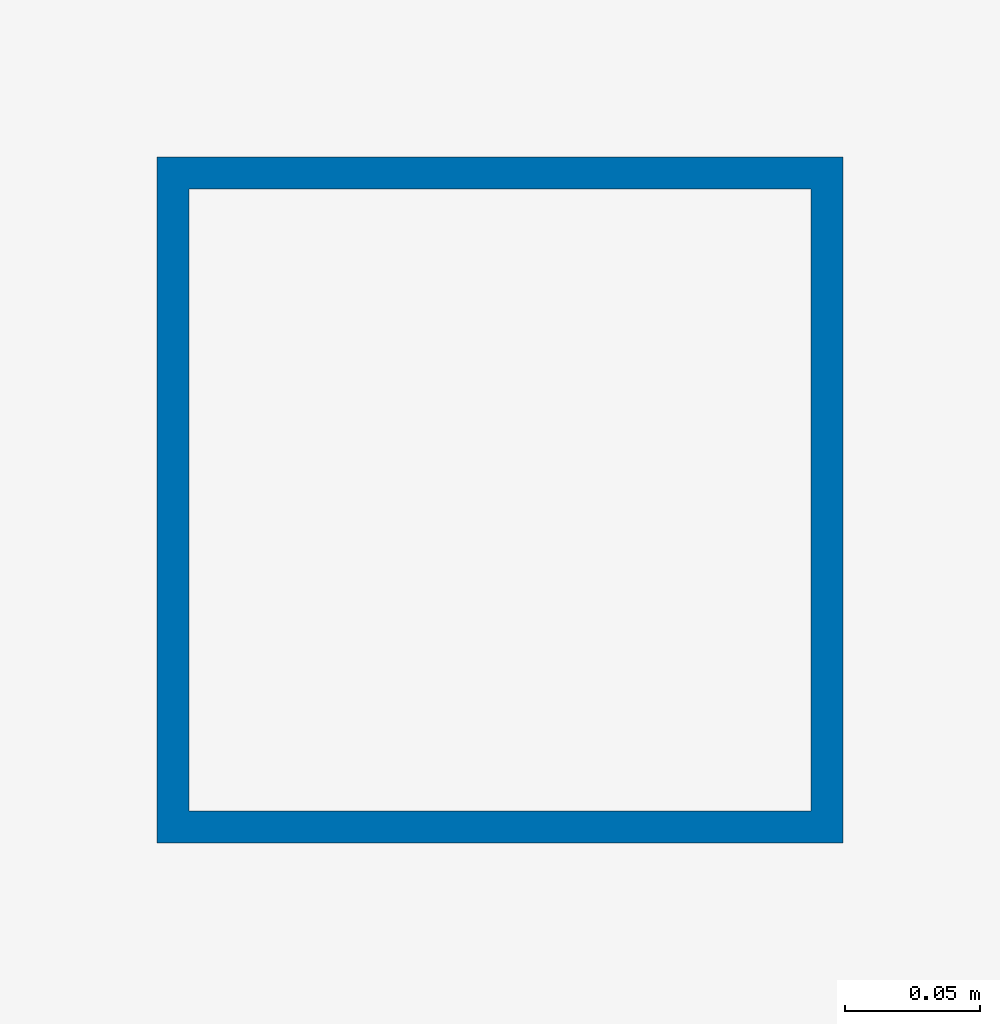
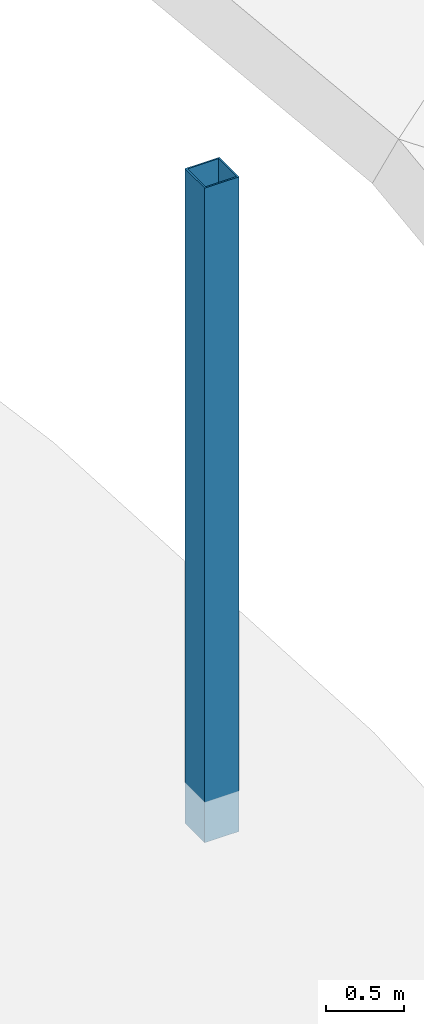
# One storey, part 11 of 116: 1 column.
"""IFC4 building model written with IfcOpenShell, lengths in metres."""

from ifc_helpers import new_model, si_unit, direction, frame, origin, origin_2d, place, context, subcontext, project, spatial, hollow_rectangle, extrude, material, material_profile, profile_set, type_object, element, save


model = new_model("IFC4")

# Units and contexts
model_context = context("Model", 3, precision=1e-05, world=origin(), true_north=direction((0.0, 1.0)))
body_context = subcontext(model_context, "Body", "Model", "MODEL_VIEW")
ifc_project = project(units=[si_unit("LENGTHUNIT", "METRE"), si_unit("AREAUNIT", "SQUARE_METRE"), si_unit("VOLUMEUNIT", "CUBIC_METRE"), si_unit("PLANEANGLEUNIT", "RADIAN"), si_unit("MASSUNIT", "GRAM", prefix="KILO")], contexts=[model_context])

# Site, building, storey
site_placement = place(None, origin())
site = spatial("IfcSite", under=ifc_project, at=site_placement, CompositionType="ELEMENT")
building_placement = place(site_placement, origin())
building = spatial("IfcBuilding", under=site, at=building_placement, Name="Chalmorin Arch Market", CompositionType="ELEMENT")
storey_placement = place(building_placement, origin())
storey = spatial("IfcBuildingStorey", under=building, at=storey_placement, Name="L00", CompositionType="ELEMENT", Elevation=0.0)

# Column
ifc_material = material(Name="Steel A500 Grade C", Category="steel")
ifc_material_profile = material_profile(ifc_material, hollow_rectangle(XDim=0.25390625, YDim=0.25390625, WallThickness=0.01171875, at=origin_2d()), Name="HSS10X10X1/2")
ifc_profile_set = profile_set([ifc_material_profile], Name="Steel A500 Grade C")
column_type = type_object("IfcColumnType", Name="SteelTubeColumn-HSS10X10", PredefinedType="COLUMN", material=ifc_profile_set)
column_placement = place(storey_placement, frame((119.25, 95.0, -0.320068359375), z_axis=(0.0, 0.0, 1.0), x_axis=(1.0, 0.0, 0.0)))
element("IfcColumn", 1, at=column_placement, inside=storey, type_object=column_type, Name="C-HS2-740", PredefinedType="COLUMN", context=body_context, shape_type="SweptSolid", body=[
    extrude(hollow_rectangle(XDim=0.25390625, YDim=0.25390625, WallThickness=0.01171875, at=origin_2d()), origin(), (0.0, 0.0, 1.0), 5.1201171875),
])

save(model, "model.ifc")
